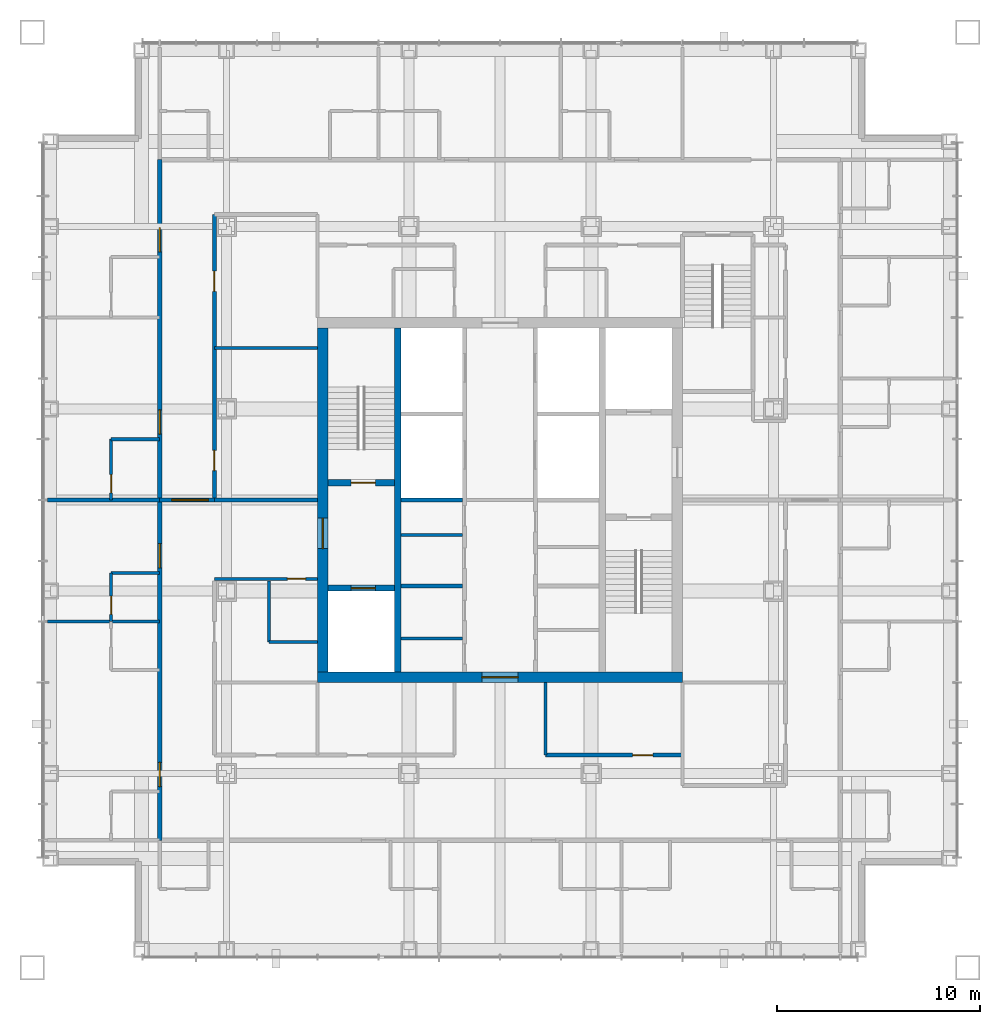
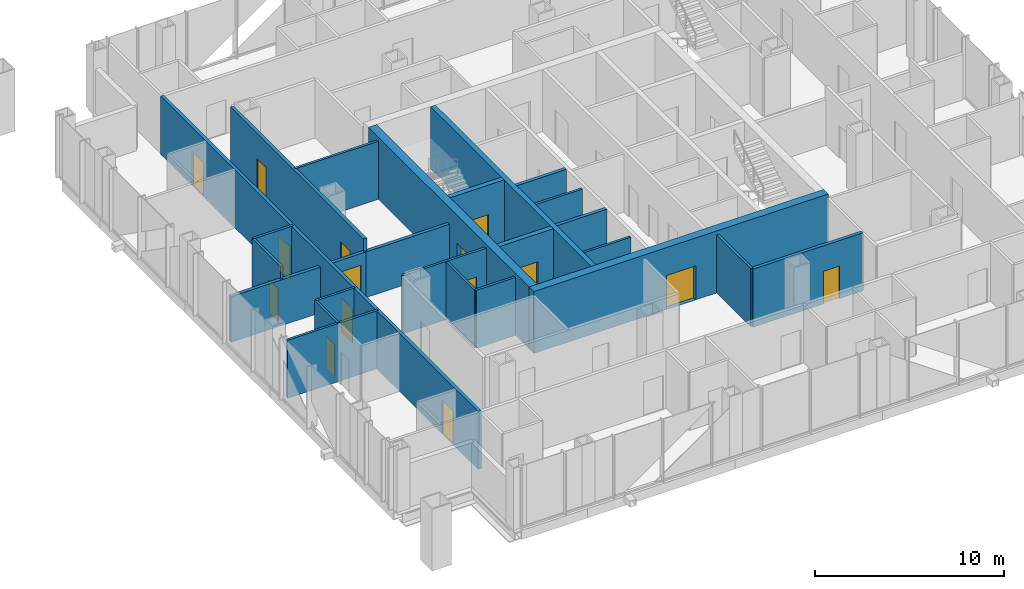
# One storey, part 8 of 17: 25 walls, 15 doors, 15 openings.
"""IFC4 building model written with IfcOpenShell, lengths in metres."""

from ifc_helpers import new_model, si_unit, direction, frame, frame_2d, origin, place, context, subcontext, project, spatial, rectangle, extrude, material, layer, layer_set, type_object, element, fill, save


model = new_model("IFC4")

# Units and contexts
model_context = context("Model", 3, precision=1e-05, world=origin(), true_north=direction((0.0, 1.0)))
body_context = subcontext(model_context, "Body", "Model", "MODEL_VIEW")
ifc_project = project(units=[si_unit("LENGTHUNIT", "METRE"), si_unit("AREAUNIT", "SQUARE_METRE"), si_unit("VOLUMEUNIT", "CUBIC_METRE"), si_unit("PLANEANGLEUNIT", "RADIAN"), si_unit("MASSUNIT", "GRAM", prefix="KILO")], contexts=[model_context])

# Site, building, storey
site_placement = place(None, origin())
site = spatial("IfcSite", under=ifc_project, at=site_placement, CompositionType="ELEMENT")
building_placement = place(site_placement, origin())
building = spatial("IfcBuilding", under=site, at=building_placement, Name="Malebo Sky Hospital", CompositionType="ELEMENT")
storey_placement = place(building_placement, frame((0.0, 0.0, 185.0)))
storey = spatial("IfcBuildingStorey", under=building, at=storey_placement, Name="L44", CompositionType="ELEMENT", Elevation=185.0)

# Walls
ifc_material_1 = material(Name="Concrete C80/95", Category="concrete")
ifc_layer_1 = layer(ifc_material_1, 0.199951171875)
ifc_layer_set_1 = layer_set([ifc_layer_1], Name="CORE INNER WALL 200")
wall_type_1 = type_object("IfcWallType", Name="CORE INNER WALL 200", PredefinedType="SHEAR", material=ifc_layer_set_1)
for number, where, z_axis, x_axis, name in (
    (1, (55.10009765625, 57.75, 0.0), (0.0, 0.0, 1.0), (1.0, 0.0, 0.0), "Core wall SW0 L44"),
    (2, (55.10009765625, 62.0, 0.0), (0.0, 0.0, 1.0), (1.0, 0.0, 0.0), "Core wall SW1 L44"),
):
    element("IfcWall", number, at=place(storey_placement, frame(where, z_axis=z_axis, x_axis=x_axis)), inside=storey, type_object=wall_type_1, Name=name, PredefinedType="SHEAR", context=body_context, shape_type="SweptSolid", body=[
        extrude(rectangle(XDim=3.0498046875, YDim=0.199951171875, at=frame_2d((1.52490234375, 0.0))), origin(), (0.0, 0.0, 1.0), 4.0),
    ])
ifc_layer_2 = layer(ifc_material_1, 0.300048828125)
ifc_layer_set_2 = layer_set([ifc_layer_2], Name="CORE INNER WALL 300")
wall_type_2 = type_object("IfcWallType", Name="CORE INNER WALL 300", PredefinedType="SHEAR", material=ifc_layer_set_2)
wall_1_placement = place(storey_placement, frame((54.949951171875, 53.5, 0.0), z_axis=(0.0, 0.0, 1.0), x_axis=(0.0, 1.0, 0.0)))
element("IfcWall", 3, at=wall_1_placement, inside=storey, type_object=wall_type_2, Name="Core wall XW L44", PredefinedType="SHEAR", context=body_context, shape_type="SweptSolid", body=[
    extrude(rectangle(XDim=17.0, YDim=0.300048828125, at=frame_2d((8.5, 0.0))), origin(), (0.0, 0.0, 1.0), 4.0),
])

# Wall, opening, door
wall_2_placement = place(storey_placement, frame((51.5, 62.85009765625, 0.0), z_axis=(0.0, 0.0, 1.0), x_axis=(1.0, 0.0, 0.0)))
wall_2 = element("IfcWall", 4, at=wall_2_placement, inside=storey, type_object=wall_type_2, Name="Core wall W1 L44", PredefinedType="SHEAR", context=body_context, shape_type="SweptSolid", body=[
    extrude(rectangle(XDim=3.300048828125, YDim=0.300048828125, at=frame_2d((1.64990234375, 0.0))), origin(), (0.0, 0.0, 1.0), 4.0),
])
opening_1_placement = place(wall_2_placement, frame((1.14990234375, 0.0, 0.0)))
opening_1 = element("IfcOpeningElement", 5, at=opening_1_placement, cuts=wall_2, Name="Opening D08", PredefinedType="OPENING", context=body_context, shape_type="SweptSolid", body=[
    extrude(rectangle(XDim=1.199951171875, YDim=2.10009765625, at=frame_2d((0.60009765625, 1.050048828125))), frame((0.0, 0.159912109375, 0.0), z_axis=(0.0, -1.0, 0.0), x_axis=(1.0, 0.0, 0.0)), (0.0, 0.0, 1.0), 0.320068359375),
])
ifc_material_2 = material(Name="Hardwood-faced door leaf in steel frame", Category="steel")
door_type_1 = type_object("IfcDoorType", Name="STAIR DOOR 1200", OperationType="SINGLE_SWING_LEFT", PredefinedType="DOOR", material=ifc_material_2)
door_1_placement = place(opening_1_placement, origin())
door_1 = element("IfcDoor", 6, at=door_1_placement, inside=storey, type_object=door_type_1, Name="Stair S1 door", OperationType="SINGLE_SWING_RIGHT", OverallHeight=2.10009765625, OverallWidth=1.199951171875, PredefinedType="DOOR", context=body_context, shape_type="SweptSolid", body=[
    extrude(rectangle(XDim=1.199951171875, YDim=2.10009765625, at=frame_2d((0.60009765625, 1.050048828125))), frame((0.0, 0.02490234375, 0.0), z_axis=(0.0, -1.0, 0.0), x_axis=(1.0, 0.0, 0.0)), (0.0, 0.0, 1.0), 0.050048828125),
])
fill(opening_1, door_1)

wall_3_placement = place(storey_placement, frame((51.5, 57.64990234375, 0.0), z_axis=(0.0, 0.0, 1.0), x_axis=(1.0, 0.0, 0.0)))
wall_3 = element("IfcWall", 7, at=wall_3_placement, inside=storey, type_object=wall_type_2, Name="Core wall W2 L44", PredefinedType="SHEAR", context=body_context, shape_type="SweptSolid", body=[
    extrude(rectangle(XDim=3.300048828125, YDim=0.300048828125, at=frame_2d((1.64990234375, 0.0))), origin(), (0.0, 0.0, 1.0), 4.0),
])
opening_2_placement = place(wall_3_placement, frame((1.14990234375, 0.0, 0.0)))
opening_2 = element("IfcOpeningElement", 8, at=opening_2_placement, cuts=wall_3, Name="Opening LD2", PredefinedType="OPENING", context=body_context, shape_type="SweptSolid", body=[
    extrude(rectangle(XDim=1.199951171875, YDim=2.199951171875, at=frame_2d((0.60009765625, 1.10009765625))), frame((0.0, 0.159912109375, 0.0), z_axis=(0.0, -1.0, 0.0), x_axis=(1.0, 0.0, 0.0)), (0.0, 0.0, 1.0), 0.320068359375),
])
ifc_material_3 = material(Name="Stainless steel sliding landing door", Category="steel")
door_type_2 = type_object("IfcDoorType", Name="FIRE-FIGHTING LIFT LANDING DOOR 1200", OperationType="SLIDING_TO_LEFT", PredefinedType="DOOR", material=ifc_material_3)
door_2_placement = place(opening_2_placement, origin())
door_2 = element("IfcDoor", 9, at=door_2_placement, inside=storey, type_object=door_type_2, Name="Lift FL1 landing door", OperationType="SLIDING_TO_LEFT", OverallHeight=2.199951171875, OverallWidth=1.199951171875, PredefinedType="DOOR", context=body_context, shape_type="SweptSolid", body=[
    extrude(rectangle(XDim=1.199951171875, YDim=2.199951171875, at=frame_2d((0.60009765625, 1.10009765625))), frame((0.0, 0.02490234375, 0.0), z_axis=(0.0, -1.0, 0.0), x_axis=(1.0, 0.0, 0.0)), (0.0, 0.0, 1.0), 0.050048828125),
])
fill(opening_2, door_2)

ifc_layer_3 = layer(ifc_material_1, 0.5)
ifc_layer_set_3 = layer_set([ifc_layer_3], Name="CORE WALL 500")
wall_type_3 = type_object("IfcWallType", Name="CORE WALL 500", PredefinedType="SHEAR", material=ifc_layer_set_3)
wall_4_placement = place(storey_placement, frame((51.0, 53.25, 0.0), z_axis=(0.0, 0.0, 1.0), x_axis=(1.0, 0.0, 0.0)))
wall_4 = element("IfcWall", 10, at=wall_4_placement, inside=storey, type_object=wall_type_3, Name="Core wall S L44", PredefinedType="SHEAR", context=body_context, shape_type="SweptSolid", body=[
    extrude(rectangle(XDim=18.0, YDim=0.5, at=frame_2d((9.0, 0.0))), origin(), (0.0, 0.0, 1.0), 4.0),
])
opening_3_placement = place(wall_4_placement, frame((8.10009765625, 0.0, 0.0)))
opening_3 = element("IfcOpeningElement", 11, at=opening_3_placement, cuts=wall_4, Name="Opening D06", PredefinedType="OPENING", context=body_context, shape_type="SweptSolid", body=[
    extrude(rectangle(XDim=1.800048828125, YDim=2.199951171875, at=frame_2d((0.89990234375, 1.10009765625))), frame((0.0, 0.260009765625, 0.0), z_axis=(0.0, -1.0, 0.0), x_axis=(1.0, 0.0, 0.0)), (0.0, 0.0, 1.0), 0.52001953125),
])
door_type_3 = type_object("IfcDoorType", Name="LOBBY DOOR PAIR 1800", OperationType="DOUBLE_DOOR_SINGLE_SWING", PredefinedType="DOOR", material=ifc_material_2)
door_3_placement = place(opening_3_placement, origin())
door_3 = element("IfcDoor", 12, at=door_3_placement, inside=storey, type_object=door_type_3, Name="Service lobby door south", OperationType="DOUBLE_DOOR_SINGLE_SWING", OverallHeight=2.199951171875, OverallWidth=1.800048828125, PredefinedType="DOOR", context=body_context, shape_type="SweptSolid", body=[
    extrude(rectangle(XDim=1.800048828125, YDim=2.199951171875, at=frame_2d((0.89990234375, 1.10009765625))), frame((0.0, 0.02490234375, 0.0), z_axis=(0.0, -1.0, 0.0), x_axis=(1.0, 0.0, 0.0)), (0.0, 0.0, 1.0), 0.050048828125),
])
fill(opening_3, door_3)

wall_5_placement = place(storey_placement, frame((51.25, 53.5, 0.0), z_axis=(0.0, 0.0, 1.0), x_axis=(0.0, 1.0, 0.0)))
wall_5 = element("IfcWall", 13, at=wall_5_placement, inside=storey, type_object=wall_type_3, Name="Core wall W L44", PredefinedType="SHEAR", context=body_context, shape_type="SweptSolid", body=[
    extrude(rectangle(XDim=17.0, YDim=0.5, at=frame_2d((8.5, 0.0))), origin(), (0.0, 0.0, 1.0), 4.0),
])
opening_4_placement = place(wall_5_placement, frame((6.10009765625, 0.0, 0.0)))
opening_4 = element("IfcOpeningElement", 14, at=opening_4_placement, cuts=wall_5, Name="Opening D07", PredefinedType="OPENING", context=body_context, shape_type="SweptSolid", body=[
    extrude(rectangle(XDim=1.5, YDim=2.199951171875, at=frame_2d((0.75, 1.10009765625))), frame((0.0, 0.260009765625, 0.0), z_axis=(0.0, -1.0, 0.0), x_axis=(1.0, 0.0, 0.0)), (0.0, 0.0, 1.0), 0.52001953125),
])
door_type_4 = type_object("IfcDoorType", Name="FIRE-FIGHTING LOBBY DOOR PAIR 1500", OperationType="DOUBLE_DOOR_SINGLE_SWING", PredefinedType="DOOR", material=ifc_material_2)
door_4_placement = place(opening_4_placement, origin())
door_4 = element("IfcDoor", 15, at=door_4_placement, inside=storey, type_object=door_type_4, Name="Fire-fighting lobby door west", OperationType="DOUBLE_DOOR_SINGLE_SWING", OverallHeight=2.199951171875, OverallWidth=1.5, PredefinedType="DOOR", context=body_context, shape_type="SweptSolid", body=[
    extrude(rectangle(XDim=1.5, YDim=2.199951171875, at=frame_2d((0.75, 1.10009765625))), frame((0.0, 0.02490234375, 0.0), z_axis=(0.0, -1.0, 0.0), x_axis=(1.0, 0.0, 0.0)), (0.0, 0.0, 1.0), 0.050048828125),
])
fill(opening_4, door_4)

# Wall, openings, doors
ifc_material_4 = material(Name="Gypsum board on steel studs", Category="steel")
ifc_layer_4 = layer(ifc_material_4, 0.199951171875)
ifc_layer_set_4 = layer_set([ifc_layer_4], Name="CORRIDOR WALL 200")
wall_type_4 = type_object("IfcWallType", Name="CORRIDOR WALL 200", PredefinedType="PARTITIONING", material=ifc_layer_set_4)
wall_6_placement = place(storey_placement, frame((43.199951171875, 45.199951171875, 0.0), z_axis=(0.0, 0.0, 1.0), x_axis=(0.0, 1.0, 0.0)))
wall_6 = element("IfcWall", 16, at=wall_6_placement, inside=storey, type_object=wall_type_4, Name="Corridor Wall 200 WCO", PredefinedType="PARTITIONING", context=body_context, shape_type="SweptSolid", body=[
    extrude(rectangle(XDim=33.60009765625, YDim=0.199951171875, at=frame_2d((16.800048828125, 0.0))), origin(), (0.0, 0.0, 1.0), 3.75),
])
opening_5_placement = place(wall_6_placement, frame((2.64990234375, 0.0, 0.0)))
opening_5 = element("IfcOpeningElement", 17, at=opening_5_placement, cuts=wall_6, Name="Opening D01", PredefinedType="OPENING", context=body_context, shape_type="SweptSolid", body=[
    extrude(rectangle(XDim=1.199951171875, YDim=2.199951171875, at=frame_2d((0.60009765625, 1.10009765625))), frame((0.0, 0.10986328125, 0.0), z_axis=(0.0, -1.0, 0.0), x_axis=(1.0, 0.0, 0.0)), (0.0, 0.0, 1.0), 0.219970703125),
])
opening_6_placement = place(wall_6_placement, frame((13.449951171875, 0.0, 0.0)))
opening_6 = element("IfcOpeningElement", 18, at=opening_6_placement, cuts=wall_6, Name="Opening D01", PredefinedType="OPENING", context=body_context, shape_type="SweptSolid", body=[
    extrude(rectangle(XDim=1.199951171875, YDim=2.199951171875, at=frame_2d((0.60009765625, 1.10009765625))), frame((0.0, 0.10986328125, 0.0), z_axis=(0.0, -1.0, 0.0), x_axis=(1.0, 0.0, 0.0)), (0.0, 0.0, 1.0), 0.219970703125),
])
opening_7_placement = place(wall_6_placement, frame((20.050048828125, 0.0, 0.0)))
opening_7 = element("IfcOpeningElement", 19, at=opening_7_placement, cuts=wall_6, Name="Opening D01", PredefinedType="OPENING", context=body_context, shape_type="SweptSolid", body=[
    extrude(rectangle(XDim=1.199951171875, YDim=2.199951171875, at=frame_2d((0.60009765625, 1.10009765625))), frame((0.0, 0.10986328125, 0.0), z_axis=(0.0, -1.0, 0.0), x_axis=(1.0, 0.0, 0.0)), (0.0, 0.0, 1.0), 0.219970703125),
])
opening_8_placement = place(wall_6_placement, frame((29.050048828125, 0.0, 0.0)))
opening_8 = element("IfcOpeningElement", 20, at=opening_8_placement, cuts=wall_6, Name="Opening D01", PredefinedType="OPENING", context=body_context, shape_type="SweptSolid", body=[
    extrude(rectangle(XDim=1.199951171875, YDim=2.199951171875, at=frame_2d((0.60009765625, 1.10009765625))), frame((0.0, 0.10986328125, 0.0), z_axis=(0.0, -1.0, 0.0), x_axis=(1.0, 0.0, 0.0)), (0.0, 0.0, 1.0), 0.219970703125),
])
door_type_5 = type_object("IfcDoorType", Name="BED DOOR 1200", OperationType="SINGLE_SWING_LEFT", PredefinedType="DOOR", material=ifc_material_2)
door_5_placement = place(opening_5_placement, origin())
door_5 = element("IfcDoor", 21, at=door_5_placement, inside=storey, type_object=door_type_5, Name="Four-bed bay door", OperationType="SINGLE_SWING_LEFT", OverallHeight=2.199951171875, OverallWidth=1.199951171875, PredefinedType="DOOR", context=body_context, shape_type="SweptSolid", body=[
    extrude(rectangle(XDim=1.199951171875, YDim=2.199951171875, at=frame_2d((0.60009765625, 1.10009765625))), frame((0.0, 0.02490234375, 0.0), z_axis=(0.0, -1.0, 0.0), x_axis=(1.0, 0.0, 0.0)), (0.0, 0.0, 1.0), 0.050048828125),
])
fill(opening_5, door_5)
door_6_placement = place(opening_6_placement, origin())
door_6 = element("IfcDoor", 22, at=door_6_placement, inside=storey, type_object=door_type_5, Name="Single bed room door", OperationType="SINGLE_SWING_LEFT", OverallHeight=2.199951171875, OverallWidth=1.199951171875, PredefinedType="DOOR", context=body_context, shape_type="SweptSolid", body=[
    extrude(rectangle(XDim=1.199951171875, YDim=2.199951171875, at=frame_2d((0.60009765625, 1.10009765625))), frame((0.0, 0.02490234375, 0.0), z_axis=(0.0, -1.0, 0.0), x_axis=(1.0, 0.0, 0.0)), (0.0, 0.0, 1.0), 0.050048828125),
])
fill(opening_6, door_6)
door_7_placement = place(opening_7_placement, origin())
door_7 = element("IfcDoor", 23, at=door_7_placement, inside=storey, type_object=door_type_5, Name="Two-bed room door", OperationType="SINGLE_SWING_LEFT", OverallHeight=2.199951171875, OverallWidth=1.199951171875, PredefinedType="DOOR", context=body_context, shape_type="SweptSolid", body=[
    extrude(rectangle(XDim=1.199951171875, YDim=2.199951171875, at=frame_2d((0.60009765625, 1.10009765625))), frame((0.0, 0.02490234375, 0.0), z_axis=(0.0, -1.0, 0.0), x_axis=(1.0, 0.0, 0.0)), (0.0, 0.0, 1.0), 0.050048828125),
])
fill(opening_7, door_7)
door_8_placement = place(opening_8_placement, origin())
door_8 = element("IfcDoor", 24, at=door_8_placement, inside=storey, type_object=door_type_5, Name="Two-bed room door", OperationType="SINGLE_SWING_LEFT", OverallHeight=2.199951171875, OverallWidth=1.199951171875, PredefinedType="DOOR", context=body_context, shape_type="SweptSolid", body=[
    extrude(rectangle(XDim=1.199951171875, YDim=2.199951171875, at=frame_2d((0.60009765625, 1.10009765625))), frame((0.0, 0.02490234375, 0.0), z_axis=(0.0, -1.0, 0.0), x_axis=(1.0, 0.0, 0.0)), (0.0, 0.0, 1.0), 0.050048828125),
])
fill(opening_8, door_8)

wall_7_placement = place(storey_placement, frame((45.89990234375, 62.0, 0.0), z_axis=(0.0, 0.0, 1.0), x_axis=(0.0, 1.0, 0.0)))
wall_7 = element("IfcWall", 25, at=wall_7_placement, inside=storey, type_object=wall_type_4, Name="Corridor Wall 200 WCI2", PredefinedType="PARTITIONING", context=body_context, shape_type="SweptSolid", body=[
    extrude(rectangle(XDim=14.10009765625, YDim=0.199951171875, at=frame_2d((7.050048828125, 0.0))), origin(), (0.0, 0.0, 1.0), 3.75),
])
opening_9_placement = place(wall_7_placement, frame((1.449951171875, 0.0, 0.0)))
opening_9 = element("IfcOpeningElement", 26, at=opening_9_placement, cuts=wall_7, Name="Opening D03", PredefinedType="OPENING", context=body_context, shape_type="SweptSolid", body=[
    extrude(rectangle(XDim=1.0, YDim=2.10009765625, at=frame_2d((0.5, 1.050048828125))), frame((0.0, 0.10986328125, 0.0), z_axis=(0.0, -1.0, 0.0), x_axis=(1.0, 0.0, 0.0)), (0.0, 0.0, 1.0), 0.219970703125),
])
opening_10_placement = place(wall_7_placement, frame((10.300048828125, 0.0, 0.0)))
opening_10 = element("IfcOpeningElement", 27, at=opening_10_placement, cuts=wall_7, Name="Opening D03", PredefinedType="OPENING", context=body_context, shape_type="SweptSolid", body=[
    extrude(rectangle(XDim=1.0, YDim=2.10009765625, at=frame_2d((0.5, 1.050048828125))), frame((0.0, 0.10986328125, 0.0), z_axis=(0.0, -1.0, 0.0), x_axis=(1.0, 0.0, 0.0)), (0.0, 0.0, 1.0), 0.219970703125),
])
door_type_6 = type_object("IfcDoorType", Name="ROOM DOOR 1000", OperationType="SINGLE_SWING_LEFT", PredefinedType="DOOR", material=ifc_material_2)
door_9_placement = place(opening_9_placement, origin())
door_9 = element("IfcDoor", 28, at=door_9_placement, inside=storey, type_object=door_type_6, Name="Staff rest room door", OperationType="SINGLE_SWING_LEFT", OverallHeight=2.10009765625, OverallWidth=1.0, PredefinedType="DOOR", context=body_context, shape_type="SweptSolid", body=[
    extrude(rectangle(XDim=1.0, YDim=2.10009765625, at=frame_2d((0.5, 1.050048828125))), frame((0.0, 0.02490234375, 0.0), z_axis=(0.0, -1.0, 0.0), x_axis=(1.0, 0.0, 0.0)), (0.0, 0.0, 1.0), 0.050048828125),
])
fill(opening_9, door_9)
door_10_placement = place(opening_10_placement, origin())
door_10 = element("IfcDoor", 29, at=door_10_placement, inside=storey, type_object=door_type_6, Name="Interview room door", OperationType="SINGLE_SWING_RIGHT", OverallHeight=2.10009765625, OverallWidth=1.0, PredefinedType="DOOR", context=body_context, shape_type="SweptSolid", body=[
    extrude(rectangle(XDim=1.0, YDim=2.10009765625, at=frame_2d((0.5, 1.050048828125))), frame((0.0, 0.02490234375, 0.0), z_axis=(0.0, -1.0, 0.0), x_axis=(1.0, 0.0, 0.0)), (0.0, 0.0, 1.0), 0.050048828125),
])
fill(opening_10, door_10)

# Wall, opening, door
wall_8_placement = place(storey_placement, frame((69.0, 49.39990234375, 0.0), z_axis=(0.0, 0.0, 1.0), x_axis=(-1.0, 0.0, 0.0)))
wall_8 = element("IfcWall", 30, at=wall_8_placement, inside=storey, type_object=wall_type_4, Name="Corridor Wall 200 SCI1", PredefinedType="PARTITIONING", context=body_context, shape_type="SweptSolid", body=[
    extrude(rectangle(XDim=6.75, YDim=0.199951171875, at=frame_2d((3.375, 0.0))), origin(), (0.0, 0.0, 1.0), 3.75),
])
opening_11_placement = place(wall_8_placement, frame((1.449951171875, 0.0, 0.0)))
opening_11 = element("IfcOpeningElement", 31, at=opening_11_placement, cuts=wall_8, Name="Opening D03", PredefinedType="OPENING", context=body_context, shape_type="SweptSolid", body=[
    extrude(rectangle(XDim=1.0, YDim=2.10009765625, at=frame_2d((0.5, 1.050048828125))), frame((0.0, 0.10986328125, 0.0), z_axis=(0.0, -1.0, 0.0), x_axis=(1.0, 0.0, 0.0)), (0.0, 0.0, 1.0), 0.219970703125),
])
door_11_placement = place(opening_11_placement, origin())
door_11 = element("IfcDoor", 32, at=door_11_placement, inside=storey, type_object=door_type_6, Name="Treatment room door", OperationType="SINGLE_SWING_LEFT", OverallHeight=2.10009765625, OverallWidth=1.0, PredefinedType="DOOR", context=body_context, shape_type="SweptSolid", body=[
    extrude(rectangle(XDim=1.0, YDim=2.10009765625, at=frame_2d((0.5, 1.050048828125))), frame((0.0, 0.02490234375, 0.0), z_axis=(0.0, -1.0, 0.0), x_axis=(1.0, 0.0, 0.0)), (0.0, 0.0, 1.0), 0.050048828125),
])
fill(opening_11, door_11)

# Wall
ifc_layer_5 = layer(ifc_material_4, 0.14990234375)
ifc_layer_set_5 = layer_set([ifc_layer_5], Name="PARTITION 150")
wall_type_5 = type_object("IfcWallType", Name="PARTITION 150", PredefinedType="PARTITIONING", material=ifc_layer_set_5)
wall_9_placement = place(storey_placement, frame((43.199951171875, 56.0, 0.0), z_axis=(0.0, 0.0, 1.0), x_axis=(-1.0, 0.0, 0.0)))
element("IfcWall", 33, at=wall_9_placement, inside=storey, type_object=wall_type_5, Name="Partition 150 WP-6.0", PredefinedType="PARTITIONING", context=body_context, shape_type="SweptSolid", body=[
    extrude(rectangle(XDim=5.550048828125, YDim=0.14990234375, at=frame_2d((2.77490234375, 0.0))), origin(), (0.0, 0.0, 1.0), 3.75),
])

# Wall, opening, door
wall_10_placement = place(storey_placement, frame((40.800048828125, 56.0, 0.0), z_axis=(0.0, 0.0, 1.0), x_axis=(0.0, 1.0, 0.0)))
wall_10 = element("IfcWall", 34, at=wall_10_placement, inside=storey, type_object=wall_type_5, Name="Partition 150 WE1F", PredefinedType="PARTITIONING", context=body_context, shape_type="SweptSolid", body=[
    extrude(rectangle(XDim=2.39990234375, YDim=0.14990234375, at=frame_2d((1.199951171875, 0.0))), origin(), (0.0, 0.0, 1.0), 3.75),
])
opening_12_placement = place(wall_10_placement, frame((0.35009765625, 0.0, 0.0)))
opening_12 = element("IfcOpeningElement", 35, at=opening_12_placement, cuts=wall_10, Name="Opening D02", PredefinedType="OPENING", context=body_context, shape_type="SweptSolid", body=[
    extrude(rectangle(XDim=0.89990234375, YDim=2.10009765625, at=frame_2d((0.449951171875, 1.050048828125))), frame((0.0, 0.0849609375, 0.0), z_axis=(0.0, -1.0, 0.0), x_axis=(1.0, 0.0, 0.0)), (0.0, 0.0, 1.0), 0.169921875),
])
door_type_7 = type_object("IfcDoorType", Name="EN-SUITE DOOR 900", OperationType="SINGLE_SWING_LEFT", PredefinedType="DOOR", material=ifc_material_2)
door_12_placement = place(opening_12_placement, origin())
door_12 = element("IfcDoor", 36, at=door_12_placement, inside=storey, type_object=door_type_7, Name="En-suite door", OperationType="SINGLE_SWING_LEFT", OverallHeight=2.10009765625, OverallWidth=0.89990234375, PredefinedType="DOOR", context=body_context, shape_type="SweptSolid", body=[
    extrude(rectangle(XDim=0.89990234375, YDim=2.10009765625, at=frame_2d((0.449951171875, 1.050048828125))), frame((0.0, 0.02490234375, 0.0), z_axis=(0.0, -1.0, 0.0), x_axis=(1.0, 0.0, 0.0)), (0.0, 0.0, 1.0), 0.050048828125),
])
fill(opening_12, door_12)

# Wall
wall_11_placement = place(storey_placement, frame((43.199951171875, 58.39990234375, 0.0), z_axis=(0.0, 0.0, 1.0), x_axis=(-1.0, 0.0, 0.0)))
element("IfcWall", 37, at=wall_11_placement, inside=storey, type_object=wall_type_5, Name="Partition 150 WE1S", PredefinedType="PARTITIONING", context=body_context, shape_type="SweptSolid", body=[
    extrude(rectangle(XDim=2.39990234375, YDim=0.14990234375, at=frame_2d((1.199951171875, 0.0))), origin(), (0.0, 0.0, 1.0), 3.75),
])

# Wall, opening, door
wall_12_placement = place(storey_placement, frame((40.800048828125, 62.0, 0.0), z_axis=(0.0, 0.0, 1.0), x_axis=(0.0, 1.0, 0.0)))
wall_12 = element("IfcWall", 38, at=wall_12_placement, inside=storey, type_object=wall_type_5, Name="Partition 150 WE2F", PredefinedType="PARTITIONING", context=body_context, shape_type="SweptSolid", body=[
    extrude(rectangle(XDim=3.0, YDim=0.14990234375, at=frame_2d((1.5, 0.0))), origin(), (0.0, 0.0, 1.0), 3.75),
])
opening_13_placement = place(wall_12_placement, frame((0.35009765625, 0.0, 0.0)))
opening_13 = element("IfcOpeningElement", 39, at=opening_13_placement, cuts=wall_12, Name="Opening D02", PredefinedType="OPENING", context=body_context, shape_type="SweptSolid", body=[
    extrude(rectangle(XDim=0.89990234375, YDim=2.10009765625, at=frame_2d((0.449951171875, 1.050048828125))), frame((0.0, 0.0849609375, 0.0), z_axis=(0.0, -1.0, 0.0), x_axis=(1.0, 0.0, 0.0)), (0.0, 0.0, 1.0), 0.169921875),
])
door_13_placement = place(opening_13_placement, origin())
door_13 = element("IfcDoor", 40, at=door_13_placement, inside=storey, type_object=door_type_7, Name="En-suite door", OperationType="SINGLE_SWING_LEFT", OverallHeight=2.10009765625, OverallWidth=0.89990234375, PredefinedType="DOOR", context=body_context, shape_type="SweptSolid", body=[
    extrude(rectangle(XDim=0.89990234375, YDim=2.10009765625, at=frame_2d((0.449951171875, 1.050048828125))), frame((0.0, 0.02490234375, 0.0), z_axis=(0.0, -1.0, 0.0), x_axis=(1.0, 0.0, 0.0)), (0.0, 0.0, 1.0), 0.050048828125),
])
fill(opening_13, door_13)

# Wall
wall_13_placement = place(storey_placement, frame((43.199951171875, 65.0, 0.0), z_axis=(0.0, 0.0, 1.0), x_axis=(-1.0, 0.0, 0.0)))
element("IfcWall", 41, at=wall_13_placement, inside=storey, type_object=wall_type_5, Name="Partition 150 WE2S", PredefinedType="PARTITIONING", context=body_context, shape_type="SweptSolid", body=[
    extrude(rectangle(XDim=2.39990234375, YDim=0.14990234375, at=frame_2d((1.199951171875, 0.0))), origin(), (0.0, 0.0, 1.0), 3.75),
])

# Wall, opening, door
wall_14_placement = place(storey_placement, frame((51.0, 58.10009765625, 0.0), z_axis=(0.0, 0.0, 1.0), x_axis=(-1.0, 0.0, 0.0)))
wall_14 = element("IfcWall", 42, at=wall_14_placement, inside=storey, type_object=wall_type_5, Name="Partition 150 WSPA", PredefinedType="PARTITIONING", context=body_context, shape_type="SweptSolid", body=[
    extrude(rectangle(XDim=5.10009765625, YDim=0.14990234375, at=frame_2d((2.550048828125, 0.0))), origin(), (0.0, 0.0, 1.0), 3.75),
])
opening_14_placement = place(wall_14_placement, frame((0.60009765625, 0.0, 0.0)))
opening_14 = element("IfcOpeningElement", 43, at=opening_14_placement, cuts=wall_14, Name="Opening D04", PredefinedType="OPENING", context=body_context, shape_type="SweptSolid", body=[
    extrude(rectangle(XDim=0.89990234375, YDim=2.10009765625, at=frame_2d((0.449951171875, 1.050048828125))), frame((0.0, 0.0849609375, 0.0), z_axis=(0.0, -1.0, 0.0), x_axis=(1.0, 0.0, 0.0)), (0.0, 0.0, 1.0), 0.169921875),
])
door_type_8 = type_object("IfcDoorType", Name="ROOM DOOR 900", OperationType="SINGLE_SWING_LEFT", PredefinedType="DOOR", material=ifc_material_2)
door_14_placement = place(opening_14_placement, origin())
door_14 = element("IfcDoor", 44, at=door_14_placement, inside=storey, type_object=door_type_8, Name="Cleaner's room door", OperationType="SINGLE_SWING_LEFT", OverallHeight=2.10009765625, OverallWidth=0.89990234375, PredefinedType="DOOR", context=body_context, shape_type="SweptSolid", body=[
    extrude(rectangle(XDim=0.89990234375, YDim=2.10009765625, at=frame_2d((0.449951171875, 1.050048828125))), frame((0.0, 0.02490234375, 0.0), z_axis=(0.0, -1.0, 0.0), x_axis=(1.0, 0.0, 0.0)), (0.0, 0.0, 1.0), 0.050048828125),
])
fill(opening_14, door_14)

# Walls
wall_15_placement = place(storey_placement, frame((51.0, 69.5, 0.0), z_axis=(0.0, 0.0, 1.0), x_axis=(-1.0, 0.0, 0.0)))
element("IfcWall", 45, at=wall_15_placement, inside=storey, type_object=wall_type_5, Name="Partition 150 WSP+7.5", PredefinedType="PARTITIONING", context=body_context, shape_type="SweptSolid", body=[
    extrude(rectangle(XDim=5.10009765625, YDim=0.14990234375, at=frame_2d((2.550048828125, 0.0))), origin(), (0.0, 0.0, 1.0), 3.75),
])
wall_16_placement = place(storey_placement, frame((48.60009765625, 55.0, 0.0), z_axis=(0.0, 0.0, 1.0), x_axis=(0.0, 1.0, 0.0)))
element("IfcWall", 46, at=wall_16_placement, inside=storey, type_object=wall_type_5, Name="Partition 150 WSX0", PredefinedType="PARTITIONING", context=body_context, shape_type="SweptSolid", body=[
    extrude(rectangle(XDim=3.0, YDim=0.14990234375, at=frame_2d((1.5, 0.0))), origin(), (0.0, 0.0, 1.0), 3.75),
])
wall_17_placement = place(storey_placement, frame((51.0, 55.0, 0.0), z_axis=(0.0, 0.0, 1.0), x_axis=(-1.0, 0.0, 0.0)))
element("IfcWall", 47, at=wall_17_placement, inside=storey, type_object=wall_type_5, Name="Partition 150 WSY0", PredefinedType="PARTITIONING", context=body_context, shape_type="SweptSolid", body=[
    extrude(rectangle(XDim=2.39990234375, YDim=0.14990234375, at=frame_2d((1.199951171875, 0.0))), origin(), (0.0, 0.0, 1.0), 3.75),
])
wall_18_placement = place(storey_placement, frame((62.25, 53.0, 0.0), z_axis=(0.0, 0.0, 1.0), x_axis=(0.0, -1.0, 0.0)))
element("IfcWall", 48, at=wall_18_placement, inside=storey, type_object=wall_type_5, Name="Partition 150 SSPA", PredefinedType="PARTITIONING", context=body_context, shape_type="SweptSolid", body=[
    extrude(rectangle(XDim=3.60009765625, YDim=0.14990234375, at=frame_2d((1.800048828125, 0.0))), origin(), (0.0, 0.0, 1.0), 3.75),
])
for number, where, z_axis, x_axis, name in (
    (49, (55.10009765625, 55.159912109375, 0.0), (0.0, 0.0, 1.0), (1.0, 0.0, 0.0), "Partition 150 SHW1"),
    (50, (55.10009765625, 60.280029296875, 0.0), (0.0, 0.0, 1.0), (1.0, 0.0, 0.0), "Partition 150 SHW2"),
):
    element("IfcWall", number, at=place(storey_placement, frame(where, z_axis=z_axis, x_axis=x_axis)), inside=storey, type_object=wall_type_5, Name=name, PredefinedType="PARTITIONING", context=body_context, shape_type="SweptSolid", body=[
        extrude(rectangle(XDim=3.0498046875, YDim=0.14990234375, at=frame_2d((1.52490234375, 0.0))), origin(), (0.0, 0.0, 1.0), 3.75),
    ])
ifc_material_5 = material(Name="Concrete blockwork", Category="masonry")
ifc_layer_6 = layer(ifc_material_5, 0.199951171875)
ifc_layer_set_6 = layer_set([ifc_layer_6], Name="SMOKE BARRIER WALL 200")
wall_type_6 = type_object("IfcWallType", Name="SMOKE BARRIER WALL 200", PredefinedType="SOLIDWALL", material=ifc_layer_set_6)
wall_19_placement = place(storey_placement, frame((43.199951171875, 62.0, 0.0), z_axis=(0.0, 0.0, 1.0), x_axis=(-1.0, 0.0, 0.0)))
element("IfcWall", 51, at=wall_19_placement, inside=storey, type_object=wall_type_6, Name="Smoke Barrier Wall 200 WP+0.0", PredefinedType="SOLIDWALL", context=body_context, shape_type="SweptSolid", body=[
    extrude(rectangle(XDim=5.550048828125, YDim=0.199951171875, at=frame_2d((2.77490234375, 0.0))), origin(), (0.0, 0.0, 1.0), 2.949951171875),
])
wall_20_placement = place(storey_placement, frame((51.0, 62.0, 0.0), z_axis=(0.0, 0.0, 1.0), x_axis=(-1.0, 0.0, 0.0)))
element("IfcWall", 52, at=wall_20_placement, inside=storey, type_object=wall_type_6, Name="Smoke Barrier Wall 200 WSPB", PredefinedType="SOLIDWALL", context=body_context, shape_type="SweptSolid", body=[
    extrude(rectangle(XDim=5.10009765625, YDim=0.199951171875, at=frame_2d((2.550048828125, 0.0))), origin(), (0.0, 0.0, 1.0), 2.949951171875),
])

# Wall, opening, door
wall_21_placement = place(storey_placement, frame((45.89990234375, 62.0, 0.0), z_axis=(0.0, 0.0, 1.0), x_axis=(-1.0, 0.0, 0.0)))
wall_21 = element("IfcWall", 53, at=wall_21_placement, inside=storey, type_object=wall_type_6, Name="Smoke Barrier Wall 200 WSB", PredefinedType="SOLIDWALL", context=body_context, shape_type="SweptSolid", body=[
    extrude(rectangle(XDim=2.699951171875, YDim=0.199951171875, at=frame_2d((1.35009765625, 0.0))), origin(), (0.0, 0.0, 1.0), 2.949951171875),
])
opening_15_placement = place(wall_21_placement, frame((0.300048828125, 0.0, 0.0)))
opening_15 = element("IfcOpeningElement", 54, at=opening_15_placement, cuts=wall_21, Name="Opening D05", PredefinedType="OPENING", context=body_context, shape_type="SweptSolid", body=[
    extrude(rectangle(XDim=1.800048828125, YDim=2.199951171875, at=frame_2d((0.89990234375, 1.10009765625))), frame((0.0, 0.10986328125, 0.0), z_axis=(0.0, -1.0, 0.0), x_axis=(1.0, 0.0, 0.0)), (0.0, 0.0, 1.0), 0.219970703125),
])
door_type_9 = type_object("IfcDoorType", Name="SMOKE DOOR PAIR 1800", OperationType="DOUBLE_DOOR_DOUBLE_SWING", PredefinedType="DOOR", material=ifc_material_2)
door_15_placement = place(opening_15_placement, origin())
door_15 = element("IfcDoor", 55, at=door_15_placement, inside=storey, type_object=door_type_9, Name="Smoke compartment door pair", OperationType="DOUBLE_DOOR_DOUBLE_SWING", OverallHeight=2.199951171875, OverallWidth=1.800048828125, PredefinedType="DOOR", context=body_context, shape_type="SweptSolid", body=[
    extrude(rectangle(XDim=1.800048828125, YDim=2.199951171875, at=frame_2d((0.89990234375, 1.10009765625))), frame((0.0, 0.02490234375, 0.0), z_axis=(0.0, -1.0, 0.0), x_axis=(1.0, 0.0, 0.0)), (0.0, 0.0, 1.0), 0.050048828125),
])
fill(opening_15, door_15)

save(model, "model.ifc")
